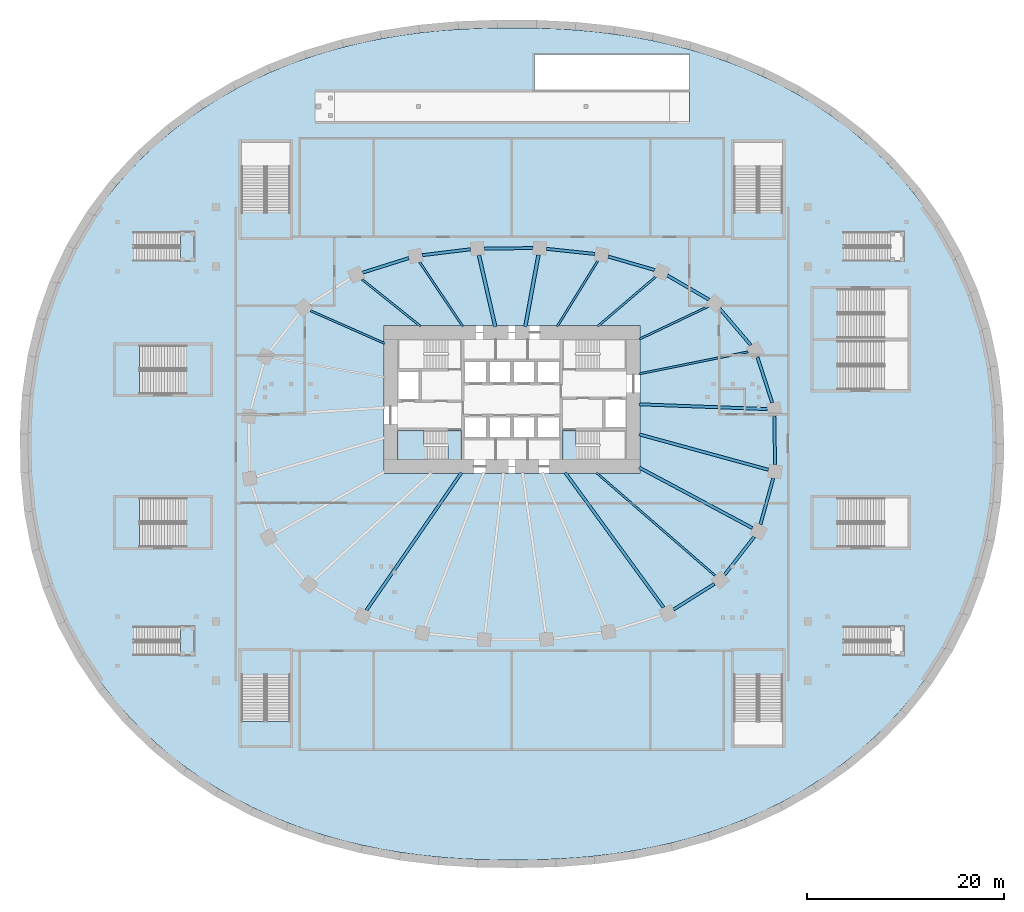
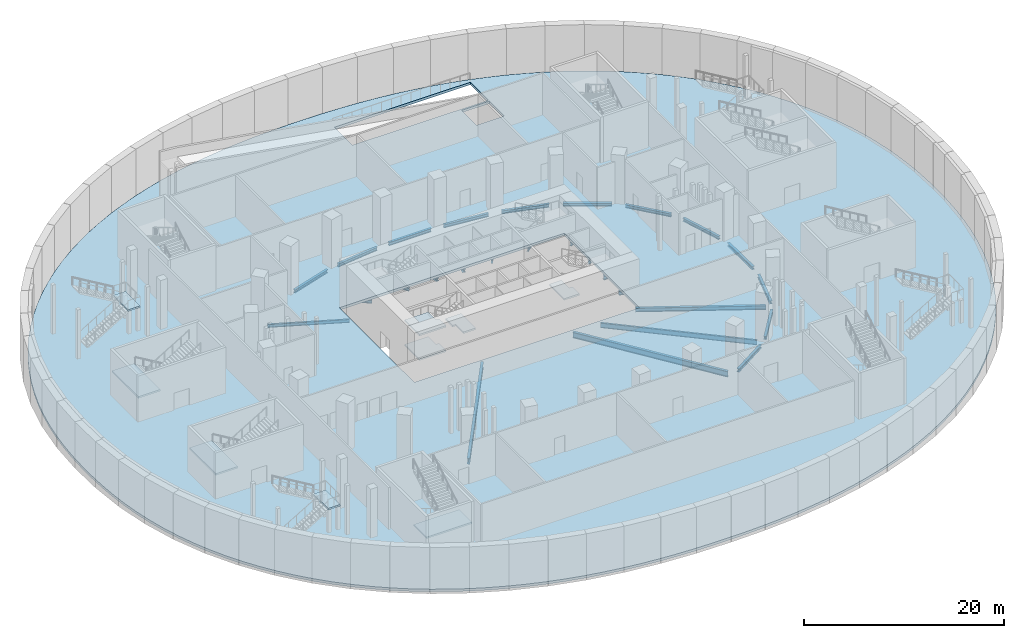
# One storey, part 2 of 19: 27 beams, 10 slabs, 7 elements without a shape of their own.
"""IFC4 building model written with IfcOpenShell, lengths in metres."""

from ifc_helpers import new_model, si_unit, direction, frame, origin, origin_2d, place, context, subcontext, project, spatial, polyline, i_section, outline, extrude, material, layer, layer_set, material_profile, profile_set, type_object, element, aggregate, save


model = new_model("IFC4")

# Units and contexts
model_context = context("Model", 3, precision=1e-05, world=origin(), true_north=direction((0.0, 1.0)))
body_context = subcontext(model_context, "Body", "Model", "MODEL_VIEW")
ifc_project = project(units=[si_unit("LENGTHUNIT", "METRE"), si_unit("AREAUNIT", "SQUARE_METRE"), si_unit("VOLUMEUNIT", "CUBIC_METRE"), si_unit("PLANEANGLEUNIT", "RADIAN"), si_unit("MASSUNIT", "GRAM", prefix="KILO")], contexts=[model_context])

# Site, building, storey
site_placement = place(None, origin())
site = spatial("IfcSite", under=ifc_project, at=site_placement, CompositionType="ELEMENT")
building_placement = place(site_placement, origin())
building = spatial("IfcBuilding", under=site, at=building_placement, Name="Rubra Terraces Tower", CompositionType="ELEMENT")
storey_placement = place(building_placement, frame((0.0, 0.0, -6.0)))
storey = spatial("IfcBuildingStorey", under=building, at=storey_placement, Name="B1", CompositionType="ELEMENT", Elevation=-6.0)

# Beams
ifc_material_1 = material(Name="Steel Q355B", Category="steel")
ifc_material_profile_1 = material_profile(ifc_material_1, i_section(OverallWidth=0.300048828125, OverallDepth=0.48193359375, WebThickness=0.010986328125, FlangeThickness=0.014892578125, at=origin_2d()), Name="HM 482x300x11x15")
ifc_profile_set_1 = profile_set([ifc_material_profile_1], Name="Steel Q355B")
beam_type_1 = type_object("IfcBeamType", Name="FLOOR BEAM HM 482x300x11x15", PredefinedType="BEAM", material=ifc_profile_set_1)
beam_1_placement = place(storey_placement, frame((25.89111328125, 3.530029296875, -0.541015625), z_axis=(-0.999300088658, 0.037407657088, 0.0), x_axis=(-0.037407657088, -0.999300088658, 0.0)))
element("IfcBeam", 1, at=beam_1_placement, inside=storey, type_object=beam_type_1, Name="beam-B1-floor-01", PredefinedType="BEAM", context=body_context, shape_type="SweptSolid", body=[
    extrude(i_section(OverallWidth=0.300048828125, OverallDepth=0.48193359375, WebThickness=0.010986328125, FlangeThickness=0.014892578125, at=origin_2d()), origin(), (0.0, 0.0, 1.0), 13.020263671875),
])
beam_2_placement = place(storey_placement, frame((24.385009765625, -8.535888671875, -0.541015625), z_axis=(-0.881896613876, 0.471442851716, 0.0), x_axis=(-0.471442851716, -0.881896613876, 0.0)))
element("IfcBeam", 2, at=beam_2_placement, inside=storey, type_object=beam_type_1, Name="beam-B1-floor-23", PredefinedType="BEAM", context=body_context, shape_type="SweptSolid", body=[
    extrude(i_section(OverallWidth=0.300048828125, OverallDepth=0.48193359375, WebThickness=0.010986328125, FlangeThickness=0.014892578125, at=origin_2d()), origin(), (0.0, 0.0, 1.0), 13.02978515625),
])
beam_3_placement = place(storey_placement, frame((26.001953125, -2.62109375, -0.541015625), z_axis=(-0.964494059772, 0.264104541167, 0.0), x_axis=(-0.264104541167, -0.964494059772, 0.0)))
element("IfcBeam", 3, at=beam_3_placement, inside=storey, type_object=beam_type_1, Name="beam-B1-floor-24", PredefinedType="BEAM", context=body_context, shape_type="SweptSolid", body=[
    extrude(i_section(OverallWidth=0.300048828125, OverallDepth=0.48193359375, WebThickness=0.010986328125, FlangeThickness=0.014892578125, at=origin_2d()), origin(), (0.0, 0.0, 1.0), 13.600830078125),
])
ifc_material_profile_2 = material_profile(ifc_material_1, i_section(OverallWidth=0.199951171875, OverallDepth=0.39990234375, WebThickness=0.008056640625, FlangeThickness=0.012939453125, at=origin_2d()), Name="HN 400x200x8x13")
ifc_profile_set_2 = profile_set([ifc_material_profile_2], Name="Steel Q355B")
beam_type_2 = type_object("IfcBeamType", Name="FLOOR BEAM HN 400x200x8x13", PredefinedType="BEAM", material=ifc_profile_set_2)
beam_4_placement = place(storey_placement, frame((19.904052734375, 13.93603515625, -0.5), z_axis=(-0.903612237836, -0.428351402045, 0.0), x_axis=(0.428351402045, -0.903612237836, 0.0)))
element("IfcBeam", 4, at=beam_4_placement, inside=storey, type_object=beam_type_2, Name="beam-B1-floor-03", PredefinedType="BEAM", context=body_context, shape_type="SweptSolid", body=[
    extrude(i_section(OverallWidth=0.199951171875, OverallDepth=0.39990234375, WebThickness=0.008056640625, FlangeThickness=0.012939453125, at=origin_2d()), origin(), (0.0, 0.0, 1.0), 7.760009765625),
])
beam_5_placement = place(storey_placement, frame((14.56298828125, 16.93408203125, -0.5), z_axis=(-0.760494401061, -0.649344489431, 0.0), x_axis=(0.649344489431, -0.760494401061, 0.0)))
element("IfcBeam", 5, at=beam_5_placement, inside=storey, type_object=beam_type_2, Name="beam-B1-floor-04", PredefinedType="BEAM", context=body_context, shape_type="SweptSolid", body=[
    extrude(i_section(OverallWidth=0.199951171875, OverallDepth=0.39990234375, WebThickness=0.008056640625, FlangeThickness=0.012939453125, at=origin_2d()), origin(), (0.0, 0.0, 1.0), 7.718505859375),
])
beam_6_placement = place(storey_placement, frame((8.699951171875, 18.555908203125, -0.5), z_axis=(-0.526285914839, -0.850307671283, 0.0), x_axis=(0.850307671283, -0.526285914839, 0.0)))
element("IfcBeam", 6, at=beam_6_placement, inside=storey, type_object=beam_type_2, Name="beam-B1-floor-05", PredefinedType="BEAM", context=body_context, shape_type="SweptSolid", body=[
    extrude(i_section(OverallWidth=0.199951171875, OverallDepth=0.39990234375, WebThickness=0.008056640625, FlangeThickness=0.012939453125, at=origin_2d()), origin(), (0.0, 0.0, 1.0), 7.830078125),
])
beam_7_placement = place(storey_placement, frame((-9.360107421875, 18.43310546875, -0.5), z_axis=(0.557574689395, -0.830126776912, 0.0), x_axis=(0.830126776912, 0.557574689395, 0.0)))
element("IfcBeam", 7, at=beam_7_placement, inside=storey, type_object=beam_type_2, Name="beam-B1-floor-08", PredefinedType="BEAM", context=body_context, shape_type="SweptSolid", body=[
    extrude(i_section(OverallWidth=0.199951171875, OverallDepth=0.39990234375, WebThickness=0.008056640625, FlangeThickness=0.012939453125, at=origin_2d()), origin(), (0.0, 0.0, 1.0), 7.8701171875),
])
beam_8_placement = place(storey_placement, frame((-15.18896484375, 16.676025390625, -0.5), z_axis=(0.780266406942, -0.625447307291, 0.0), x_axis=(0.625447307291, 0.780266406942, 0.0)))
element("IfcBeam", 8, at=beam_8_placement, inside=storey, type_object=beam_type_2, Name="beam-B1-floor-09", PredefinedType="BEAM", context=body_context, shape_type="SweptSolid", body=[
    extrude(i_section(OverallWidth=0.199951171875, OverallDepth=0.39990234375, WebThickness=0.008056640625, FlangeThickness=0.012939453125, at=origin_2d()), origin(), (0.0, 0.0, 1.0), 7.59619140625),
])
beam_9_placement = place(storey_placement, frame((-20.43310546875, 13.508056640625, -0.5), z_axis=(0.914994662209, -0.4034659442, 0.0), x_axis=(0.4034659442, 0.914994662209, 0.0)))
element("IfcBeam", 9, at=beam_9_placement, inside=storey, type_object=beam_type_2, Name="beam-B1-floor-10", PredefinedType="BEAM", context=body_context, shape_type="SweptSolid", body=[
    extrude(i_section(OverallWidth=0.199951171875, OverallDepth=0.39990234375, WebThickness=0.008056640625, FlangeThickness=0.012939453125, at=origin_2d()), origin(), (0.0, 0.0, 1.0), 8.243896484375),
])
ifc_material_profile_3 = material_profile(ifc_material_1, i_section(OverallWidth=0.198974609375, OverallDepth=0.49609375, WebThickness=0.009033203125, FlangeThickness=0.013916015625, at=origin_2d()), Name="HN 496x199x9x14")
ifc_profile_set_3 = profile_set([ifc_material_profile_3], Name="Steel Q355B")
beam_type_3 = type_object("IfcBeamType", Name="FLOOR BEAM HN 496x199x9x14", PredefinedType="BEAM", material=ifc_profile_set_3)
beam_10_placement = place(storey_placement, frame((23.9560546875, 9.337890625, -0.548095703125), z_axis=(-0.980204035637, -0.197990021264, 0.0), x_axis=(0.197990021264, -0.980204035637, 0.0)))
element("IfcBeam", 10, at=beam_10_placement, inside=storey, type_object=beam_type_3, Name="beam-B1-floor-02", PredefinedType="BEAM", context=body_context, shape_type="SweptSolid", body=[
    extrude(i_section(OverallWidth=0.198974609375, OverallDepth=0.49609375, WebThickness=0.009033203125, FlangeThickness=0.013916015625, at=origin_2d()), origin(), (0.0, 0.0, 1.0), 11.297607421875),
])
ifc_material_profile_4 = material_profile(ifc_material_1, i_section(OverallWidth=0.198974609375, OverallDepth=0.595947265625, WebThickness=0.010009765625, FlangeThickness=0.014892578125, at=origin_2d()), Name="HN 596x199x10x15")
ifc_profile_set_4 = profile_set([ifc_material_profile_4], Name="Steel Q355B")
beam_type_4 = type_object("IfcBeamType", Name="FLOOR BEAM HN 596x199x10x15", PredefinedType="BEAM", material=ifc_profile_set_4)
beam_11_placement = place(storey_placement, frame((20.60205078125, -13.35498046875, -0.597900390625), z_axis=(-0.755682003913, 0.654938706263, 0.0), x_axis=(-0.654938706263, -0.755682003913, 0.0)))
element("IfcBeam", 11, at=beam_11_placement, inside=storey, type_object=beam_type_4, Name="beam-B1-floor-22", PredefinedType="BEAM", context=body_context, shape_type="SweptSolid", body=[
    extrude(i_section(OverallWidth=0.198974609375, OverallDepth=0.595947265625, WebThickness=0.010009765625, FlangeThickness=0.014892578125, at=origin_2d()), origin(), (0.0, 0.0, 1.0), 15.931396484375),
])
ifc_material_profile_5 = material_profile(ifc_material_1, i_section(OverallWidth=0.300048828125, OverallDepth=0.699951171875, WebThickness=0.012939453125, FlangeThickness=0.02392578125, at=origin_2d()), Name="HN 700x300x13x24")
ifc_profile_set_5 = profile_set([ifc_material_profile_5], Name="Steel Q355B")
beam_type_5 = type_object("IfcBeamType", Name="FLOOR BEAM HN 700x300x13x24", PredefinedType="BEAM", material=ifc_profile_set_5)
beam_12_placement = place(storey_placement, frame((-14.7509765625, -16.85302734375, -0.64990234375), z_axis=(0.568362941886, 0.822777956858, 0.0), x_axis=(-0.822777956858, 0.568362941886, 0.0)))
element("IfcBeam", 12, at=beam_12_placement, inside=storey, type_object=beam_type_5, Name="beam-B1-floor-16", PredefinedType="BEAM", context=body_context, shape_type="SweptSolid", body=[
    extrude(i_section(OverallWidth=0.300048828125, OverallDepth=0.699951171875, WebThickness=0.012939453125, FlangeThickness=0.02392578125, at=origin_2d()), origin(), (0.0, 0.0, 1.0), 16.957275390625),
])
beam_13_placement = place(storey_placement, frame((15.3779296875, -16.587890625, -0.64990234375), z_axis=(-0.58919117553, 0.807993662523, 0.0), x_axis=(-0.807993662523, -0.58919117553, 0.0)))
element("IfcBeam", 13, at=beam_13_placement, inside=storey, type_object=beam_type_5, Name="beam-B1-floor-21", PredefinedType="BEAM", context=body_context, shape_type="SweptSolid", body=[
    extrude(i_section(OverallWidth=0.300048828125, OverallDepth=0.699951171875, WebThickness=0.012939453125, FlangeThickness=0.02392578125, at=origin_2d()), origin(), (0.0, 0.0, 1.0), 16.936767578125),
])
ifc_material_profile_6 = material_profile(ifc_material_1, i_section(OverallWidth=0.35009765625, OverallDepth=0.35009765625, WebThickness=0.011962890625, FlangeThickness=0.01904296875, at=origin_2d()), Name="HW 350x350x12x19")
ifc_profile_set_6 = profile_set([ifc_material_profile_6], Name="Steel Q355B")
beam_type_6 = type_object("IfcBeamType", Name="FLOOR BEAM HW 350x350x12x19", PredefinedType="BEAM", material=ifc_profile_set_6)
beam_14_placement = place(storey_placement, frame((2.68408203125, 19.158935546875, -0.47509765625), z_axis=(-0.180186319425, -0.983632497578, 0.0), x_axis=(0.983632497578, -0.180186319425, 0.0)))
element("IfcBeam", 14, at=beam_14_placement, inside=storey, type_object=beam_type_6, Name="beam-B1-floor-06", PredefinedType="BEAM", context=body_context, shape_type="SweptSolid", body=[
    extrude(i_section(OverallWidth=0.35009765625, OverallDepth=0.35009765625, WebThickness=0.011962890625, FlangeThickness=0.01904296875, at=origin_2d()), origin(), (0.0, 0.0, 1.0), 7.39794921875),
])
beam_15_placement = place(storey_placement, frame((-3.35107421875, 19.133056640625, -0.47509765625), z_axis=(0.223209821828, -0.974770421914, 0.0), x_axis=(0.974770421914, 0.223209821828, 0.0)))
element("IfcBeam", 15, at=beam_15_placement, inside=storey, type_object=beam_type_6, Name="beam-B1-floor-07", PredefinedType="BEAM", context=body_context, shape_type="SweptSolid", body=[
    extrude(i_section(OverallWidth=0.35009765625, OverallDepth=0.35009765625, WebThickness=0.011962890625, FlangeThickness=0.01904296875, at=origin_2d()), origin(), (0.0, 0.0, 1.0), 7.437744140625),
])
ifc_material_profile_7 = material_profile(ifc_material_1, i_section(OverallWidth=0.300048828125, OverallDepth=0.389892578125, WebThickness=0.010009765625, FlangeThickness=0.01611328125, at=origin_2d()), Name="HM 390x300x10x16")
ifc_profile_set_7 = profile_set([ifc_material_profile_7], Name="Steel Q355B")
beam_type_7 = type_object("IfcBeamType", Name="SPANDREL BEAM HM 390x300x10x16", PredefinedType="SPANDREL", material=ifc_profile_set_7)
beam_16_placement = place(storey_placement, frame((26.387939453125, 4.177001953125, -0.4951171875), z_axis=(-0.30706880261, 0.951687317591, 0.0), x_axis=(-0.951687317591, -0.30706880261, 0.0)))
element("IfcBeam", 16, at=beam_16_placement, inside=storey, type_object=beam_type_7, Name="beam-B1-spandrel-01", PredefinedType="SPANDREL", context=body_context, shape_type="SweptSolid", body=[
    extrude(i_section(OverallWidth=0.300048828125, OverallDepth=0.389892578125, WebThickness=0.010009765625, FlangeThickness=0.01611328125, at=origin_2d()), origin(), (0.0, 0.0, 1.0), 4.86181640625),
])
beam_17_placement = place(storey_placement, frame((24.212890625, 10.02587890625, -0.4951171875), z_axis=(-0.648447050824, 0.761259760054, 0.0), x_axis=(-0.761259760054, -0.648447050824, 0.0)))
element("IfcBeam", 17, at=beam_17_placement, inside=storey, type_object=beam_type_7, Name="beam-B1-spandrel-02", PredefinedType="SPANDREL", context=body_context, shape_type="SweptSolid", body=[
    extrude(i_section(OverallWidth=0.300048828125, OverallDepth=0.389892578125, WebThickness=0.010009765625, FlangeThickness=0.01611328125, at=origin_2d()), origin(), (0.0, 0.0, 1.0), 4.860595703125),
])
beam_18_placement = place(storey_placement, frame((19.987060546875, 14.6240234375, -0.4951171875), z_axis=(-0.863806081452, 0.503824427402, 0.0), x_axis=(-0.503824427402, -0.863806081452, 0.0)))
element("IfcBeam", 18, at=beam_18_placement, inside=storey, type_object=beam_type_7, Name="beam-B1-spandrel-03", PredefinedType="SPANDREL", context=body_context, shape_type="SweptSolid", body=[
    extrude(i_section(OverallWidth=0.300048828125, OverallDepth=0.389892578125, WebThickness=0.010009765625, FlangeThickness=0.01611328125, at=origin_2d()), origin(), (0.0, 0.0, 1.0), 4.886474609375),
])
beam_19_placement = place(storey_placement, frame((14.47900390625, 17.636962890625, -0.4951171875), z_axis=(-0.960743980202, 0.277436487337, 0.0), x_axis=(-0.277436487337, -0.960743980202, 0.0)))
element("IfcBeam", 19, at=beam_19_placement, inside=storey, type_object=beam_type_7, Name="beam-B1-spandrel-04", PredefinedType="SPANDREL", context=body_context, shape_type="SweptSolid", body=[
    extrude(i_section(OverallWidth=0.300048828125, OverallDepth=0.389892578125, WebThickness=0.010009765625, FlangeThickness=0.01611328125, at=origin_2d()), origin(), (0.0, 0.0, 1.0), 4.90234375),
])
beam_20_placement = place(storey_placement, frame((8.39501953125, 19.26611328125, -0.4951171875), z_axis=(-0.994495375694, 0.104780473964, 0.0), x_axis=(-0.104780473964, -0.994495375694, 0.0)))
element("IfcBeam", 20, at=beam_20_placement, inside=storey, type_object=beam_type_7, Name="beam-B1-spandrel-05", PredefinedType="SPANDREL", context=body_context, shape_type="SweptSolid", body=[
    extrude(i_section(OverallWidth=0.300048828125, OverallDepth=0.389892578125, WebThickness=0.010009765625, FlangeThickness=0.01611328125, at=origin_2d()), origin(), (0.0, 0.0, 1.0), 4.9140625),
])
beam_21_placement = place(storey_placement, frame((2.110107421875, 19.85107421875, -0.4951171875), z_axis=(-0.999987924698, -0.004914311469, 0.0), x_axis=(0.004914311469, -0.999987924698, 0.0)))
element("IfcBeam", 21, at=beam_21_placement, inside=storey, type_object=beam_type_7, Name="beam-B1-spandrel-06", PredefinedType="SPANDREL", context=body_context, shape_type="SweptSolid", body=[
    extrude(i_section(OverallWidth=0.300048828125, OverallDepth=0.389892578125, WebThickness=0.010009765625, FlangeThickness=0.01611328125, at=origin_2d()), origin(), (0.0, 0.0, 1.0), 4.918212890625),
])
beam_22_placement = place(storey_placement, frame((-4.205078125, 19.739013671875, -0.4951171875), z_axis=(-0.992616576014, -0.12129440639, 0.0), x_axis=(0.12129440639, -0.992616576014, 0.0)))
element("IfcBeam", 22, at=beam_22_placement, inside=storey, type_object=beam_type_7, Name="beam-B1-spandrel-07", PredefinedType="SPANDREL", context=body_context, shape_type="SweptSolid", body=[
    extrude(i_section(OverallWidth=0.300048828125, OverallDepth=0.389892578125, WebThickness=0.010009765625, FlangeThickness=0.01611328125, at=origin_2d()), origin(), (0.0, 0.0, 1.0), 4.913330078125),
])
beam_23_placement = place(storey_placement, frame((-10.450927734375, 18.846923828125, -0.4951171875), z_axis=(-0.953954624663, -0.299950952796, 0.0), x_axis=(0.299950952796, -0.953954624663, 0.0)))
element("IfcBeam", 23, at=beam_23_placement, inside=storey, type_object=beam_type_7, Name="beam-B1-spandrel-08", PredefinedType="SPANDREL", context=body_context, shape_type="SweptSolid", body=[
    extrude(i_section(OverallWidth=0.300048828125, OverallDepth=0.389892578125, WebThickness=0.010009765625, FlangeThickness=0.01611328125, at=origin_2d()), origin(), (0.0, 0.0, 1.0), 4.900634765625),
])
beam_24_placement = place(storey_placement, frame((16.39697265625, -16.7900390625, -0.4951171875), z_axis=(0.847078460197, 0.531467856291, 0.0), x_axis=(-0.531467856291, 0.847078460197, 0.0)))
element("IfcBeam", 24, at=beam_24_placement, inside=storey, type_object=beam_type_7, Name="beam-B1-spandrel-21", PredefinedType="SPANDREL", context=body_context, shape_type="SweptSolid", body=[
    extrude(i_section(OverallWidth=0.300048828125, OverallDepth=0.389892578125, WebThickness=0.010009765625, FlangeThickness=0.01611328125, at=origin_2d()), origin(), (0.0, 0.0, 1.0), 4.882568359375),
])
beam_25_placement = place(storey_placement, frame((21.572998046875, -13.257080078125, -0.4951171875), z_axis=(0.615577734286, 0.788076172112, 0.0), x_axis=(-0.788076172112, 0.615577734286, 0.0)))
element("IfcBeam", 25, at=beam_25_placement, inside=storey, type_object=beam_type_7, Name="beam-B1-spandrel-22", PredefinedType="SPANDREL", context=body_context, shape_type="SweptSolid", body=[
    extrude(i_section(OverallWidth=0.300048828125, OverallDepth=0.389892578125, WebThickness=0.010009765625, FlangeThickness=0.01611328125, at=origin_2d()), origin(), (0.0, 0.0, 1.0), 4.85888671875),
])
beam_26_placement = place(storey_placement, frame((25.194091796875, -8.177978515625, -0.4951171875), z_axis=(0.267364386726, 0.96359549849, 0.0), x_axis=(-0.96359549849, 0.267364386726, 0.0)))
element("IfcBeam", 26, at=beam_26_placement, inside=storey, type_object=beam_type_7, Name="beam-B1-spandrel-23", PredefinedType="SPANDREL", context=body_context, shape_type="SweptSolid", body=[
    extrude(i_section(OverallWidth=0.300048828125, OverallDepth=0.389892578125, WebThickness=0.010009765625, FlangeThickness=0.01611328125, at=origin_2d()), origin(), (0.0, 0.0, 1.0), 4.8662109375),
])
beam_27_placement = place(storey_placement, frame((26.675048828125, -2.10107421875, -0.4951171875), z_axis=(-0.012465372298, 0.999922304228, 0.0), x_axis=(-0.999922304228, -0.012465372298, 0.0)))
element("IfcBeam", 27, at=beam_27_placement, inside=storey, type_object=beam_type_7, Name="beam-B1-spandrel-24", PredefinedType="SPANDREL", context=body_context, shape_type="SweptSolid", body=[
    extrude(i_section(OverallWidth=0.300048828125, OverallDepth=0.389892578125, WebThickness=0.010009765625, FlangeThickness=0.01611328125, at=origin_2d()), origin(), (0.0, 0.0, 1.0), 4.896484375),
])

# Stair, slabs
ifc_material_2 = material(Name="Concrete C40", Category="concrete")
stair_type_1 = type_object("IfcStairType", Name="Core stair 1400", PredefinedType="HALF_TURN_STAIR", material=ifc_material_2)
stair_1_placement = place(storey_placement, origin())
stair_1 = element("IfcStair", 28, at=stair_1_placement, inside=storey, type_object=stair_type_1, Name="B1 Exit stair S1", PredefinedType="HALF_TURN_STAIR")
ifc_layer_1 = layer(ifc_material_2, 0.199951171875)
ifc_layer_set_1 = layer_set([ifc_layer_1], Name="Concrete C40")
slab_type_1 = type_object("IfcSlabType", Name="Core stair landing 200", PredefinedType="LANDING", material=ifc_layer_set_1)
slab_1_placement = place(storey_placement, frame((0.0, 0.0, 1.300048828125)))
slab_1 = element("IfcSlab", 29, at=slab_1_placement, type_object=slab_type_1, Name="S1 landing 1", PredefinedType="LANDING", context=body_context, shape_type="SweptSolid", body=[
    extrude(outline(polyline([(-8.52001953125, -0.199951171875), (-8.52001953125, -1.60009765625), (-8.89990234375, -1.60009765625), (-8.919921875, -1.60009765625), (-11.60009765625, -1.60009765625), (-11.60009765625, 1.35009765625), (-8.919921875, 1.35009765625), (-8.89794921875, 1.35009765625), (-8.89794921875, -0.050048828125), (-8.89990234375, -0.050048828125), (-8.89990234375, -0.199951171875), (-8.52001953125, -0.199951171875)])), origin(), (0.0, 0.0, 1.0), 0.199951171875),
])
slab_2_placement = place(storey_placement, frame((0.0, 0.0, 2.800048828125)))
slab_2 = element("IfcSlab", 30, at=slab_2_placement, type_object=slab_type_1, Name="S1 landing 2", PredefinedType="LANDING", context=body_context, shape_type="SweptSolid", body=[
    extrude(outline(polyline([(-6.5, -0.199951171875), (-6.5, -0.050048828125), (-6.8798828125, -0.050048828125), (-6.8798828125, 1.35009765625), (-6.5, 1.35009765625), (-6.47998046875, 1.35009765625), (-5.10009765625, 1.35009765625), (-5.10009765625, -1.60009765625), (-6.47998046875, -1.60009765625), (-6.5, -1.60009765625), (-6.501953125, -1.60009765625), (-6.501953125, -0.199951171875), (-6.5, -0.199951171875)])), origin(), (0.0, 0.0, 1.0), 0.199951171875),
])
slab_3_placement = place(storey_placement, frame((0.0, 0.0, 4.300048828125)))
slab_3 = element("IfcSlab", 31, at=slab_3_placement, type_object=slab_type_1, Name="S1 landing 3", PredefinedType="LANDING", context=body_context, shape_type="SweptSolid", body=[
    extrude(outline(polyline([(-8.52001953125, -0.199951171875), (-8.52001953125, -1.60009765625), (-8.89990234375, -1.60009765625), (-8.919921875, -1.60009765625), (-11.60009765625, -1.60009765625), (-11.60009765625, 1.35009765625), (-8.919921875, 1.35009765625), (-8.89794921875, 1.35009765625), (-8.89794921875, -0.050048828125), (-8.89990234375, -0.050048828125), (-8.89990234375, -0.199951171875), (-8.52001953125, -0.199951171875)])), origin(), (0.0, 0.0, 1.0), 0.199951171875),
])
aggregate(stair_1, [slab_1, slab_2, slab_3])

# Stair, slab
stair_2_placement = place(storey_placement, origin())
stair_2 = element("IfcStair", 32, at=stair_2_placement, inside=storey, type_object=stair_type_1, Name="B1 Exit stair S4", PredefinedType="HALF_TURN_STAIR")
slab_4_placement = place(storey_placement, frame((0.0, 0.0, 2.800048828125)))
slab_4 = element("IfcSlab", 33, at=slab_4_placement, type_object=slab_type_1, Name="S4 landing 2", PredefinedType="LANDING", context=body_context, shape_type="SweptSolid", body=[
    extrude(outline(polyline([(6.8798828125, -0.199951171875), (6.8798828125, -1.60009765625), (6.5, -1.60009765625), (6.47998046875, -1.60009765625), (5.10009765625, -1.60009765625), (5.10009765625, 1.35009765625), (6.47998046875, 1.35009765625), (6.501953125, 1.35009765625), (6.501953125, -0.050048828125), (6.5, -0.050048828125), (6.5, -0.199951171875), (6.8798828125, -0.199951171875)])), origin(), (0.0, 0.0, 1.0), 0.199951171875),
])
aggregate(stair_2, [slab_4])

ifc_material_3 = material(Name="Concrete C40/50", Category="concrete")
stair_type_2 = type_object("IfcStairType", Name="Exit stair", PredefinedType="HALF_TURN_STAIR", material=ifc_material_3)
stair_3_placement = place(storey_placement, origin())
stair_3 = element("IfcStair", 34, at=stair_3_placement, inside=storey, type_object=stair_type_2, Name="B1 exit stair SE3", PredefinedType="HALF_TURN_STAIR")
ifc_layer_2 = layer(ifc_material_3, 0.199951171875)
ifc_layer_set_2 = layer_set([ifc_layer_2], Name="Concrete C40/50")
slab_type_2 = type_object("IfcSlabType", Name="Exit stair landing 200", PredefinedType="LANDING", material=ifc_layer_set_2)
slab_5_placement = place(storey_placement, frame((0.0, 0.0, 2.800048828125)))
slab_5 = element("IfcSlab", 35, at=slab_5_placement, type_object=slab_type_2, Name="SE3 landing 1", PredefinedType="LANDING", context=body_context, shape_type="SweptSolid", body=[
    extrude(outline(polyline([(-40.31005859375, 4.89990234375), (-37.760009765625, 4.89990234375), (-37.760009765625, 10.14990234375), (-40.31005859375, 10.14990234375), (-40.31005859375, 4.89990234375)])), origin(), (0.0, 0.0, 1.0), 0.199951171875),
])
aggregate(stair_3, [slab_5])

stair_4_placement = place(storey_placement, origin())
stair_4 = element("IfcStair", 36, at=stair_4_placement, inside=storey, type_object=stair_type_2, Name="B1 exit stair SE4", PredefinedType="HALF_TURN_STAIR")
slab_6_placement = place(storey_placement, frame((0.0, 0.0, 2.800048828125)))
slab_6 = element("IfcSlab", 37, at=slab_6_placement, type_object=slab_type_2, Name="SE4 landing 1", PredefinedType="LANDING", context=body_context, shape_type="SweptSolid", body=[
    extrude(outline(polyline([(-40.31005859375, -10.60009765625), (-37.760009765625, -10.60009765625), (-37.760009765625, -5.35009765625), (-40.31005859375, -5.35009765625), (-40.31005859375, -10.60009765625)])), origin(), (0.0, 0.0, 1.0), 0.199951171875),
])
aggregate(stair_4, [slab_6])

stair_5_placement = place(storey_placement, origin())
stair_5 = element("IfcStair", 38, at=stair_5_placement, inside=storey, type_object=stair_type_2, Name="B1 exit stair SE8", PredefinedType="HALF_TURN_STAIR")
slab_7_placement = place(storey_placement, frame((0.0, 0.0, 2.800048828125)))
slab_7 = element("IfcSlab", 39, at=slab_7_placement, type_object=slab_type_2, Name="SE8 landing 1", PredefinedType="LANDING", context=body_context, shape_type="SweptSolid", body=[
    extrude(outline(polyline([(-27.60009765625, -30.7099609375), (-22.35009765625, -30.7099609375), (-22.35009765625, -28.159912109375), (-27.60009765625, -28.159912109375), (-27.60009765625, -30.7099609375)])), origin(), (0.0, 0.0, 1.0), 0.199951171875),
])
aggregate(stair_5, [slab_7])

# Slab
ifc_layer_3 = layer(ifc_material_2, 0.300048828125)
ifc_layer_set_3 = layer_set([ifc_layer_3], Name="Concrete C40")
slab_type_3 = type_object("IfcSlabType", Name="FLOOR SLAB 300 COMPOSITE", PredefinedType="FLOOR", material=ifc_layer_set_3)
slab_8_placement = place(storey_placement, frame((0.0, 0.0, -0.300048828125)))
element("IfcSlab", 40, at=slab_8_placement, inside=storey, type_object=slab_type_3, Name="FLOOR SLAB B1", PredefinedType="FLOOR", context=body_context, shape_type="SweptSolid", body=[
    extrude(outline(polyline([(48.781005859375, -5.87109375), (48.968017578125, -3.923095703125), (49.071044921875, -1.965087890625), (49.10009765625, 0.0), (49.071044921875, 1.965087890625), (48.968017578125, 3.923095703125), (48.781005859375, 5.87109375), (48.508056640625, 7.806884765625), (48.14208984375, 9.72607421875), (47.68310546875, 11.6240234375), (47.1298828125, 13.49609375), (46.48388671875, 15.337890625), (45.743896484375, 17.14404296875), (44.9130859375, 18.907958984375), (43.991943359375, 20.62890625), (42.98291015625, 22.299072265625), (41.889892578125, 23.9150390625), (40.715087890625, 25.472900390625), (39.4619140625, 26.969970703125), (38.135009765625, 28.403076171875), (36.739990234375, 29.76806640625), (35.278076171875, 31.06396484375), (33.7548828125, 32.2890625), (32.176025390625, 33.44091796875), (30.5439453125, 34.51904296875), (28.864013671875, 35.52197265625), (27.14111328125, 36.451904296875), (25.37890625, 37.306884765625), (23.58203125, 38.087890625), (21.75390625, 38.794921875), (19.89794921875, 39.429931640625), (18.01806640625, 39.9951171875), (16.117919921875, 40.489013671875), (14.200927734375, 40.9150390625), (12.26904296875, 41.27587890625), (10.324951171875, 41.572021484375), (8.37109375, 41.806884765625), (6.409912109375, 41.98388671875), (4.443115234375, 42.10498046875), (2.470947265625, 42.174072265625), (0.493896484375, 42.198974609375), (-1.48291015625, 42.19189453125), (-3.45703125, 42.14501953125), (-5.427001953125, 42.050048828125), (-7.39111328125, 41.903076171875), (-9.34912109375, 41.697998046875), (-11.298095703125, 41.431884765625), (-13.237060546875, 41.10302734375), (-15.162109375, 40.7109375), (-17.071044921875, 40.2509765625), (-18.9609375, 39.721923828125), (-20.8291015625, 39.1220703125), (-22.6708984375, 38.450927734375), (-24.485107421875, 37.7060546875), (-26.264892578125, 36.888916015625), (-28.008056640625, 35.9970703125), (-29.708984375, 35.030029296875), (-31.365966796875, 33.989013671875), (-32.970947265625, 32.8740234375), (-34.52392578125, 31.68505859375), (-36.01708984375, 30.425048828125), (-37.446044921875, 29.093994140625), (-38.80810546875, 27.694091796875), (-40.097900390625, 26.22900390625), (-41.31201171875, 24.700927734375), (-42.447021484375, 23.114013671875), (-43.498046875, 21.469970703125), (-44.464111328125, 19.77490234375), (-45.340087890625, 18.031982421875), (-46.125, 16.24609375), (-46.819091796875, 14.4208984375), (-47.4189453125, 12.56298828125), (-47.924072265625, 10.677978515625), (-48.3359375, 8.76904296875), (-48.656005859375, 6.841064453125), (-48.885009765625, 4.89892578125), (-49.029052734375, 2.945068359375), (-49.093994140625, 0.98291015625), (-49.093994140625, -0.98291015625), (-49.029052734375, -2.945068359375), (-48.885009765625, -4.89892578125), (-48.656005859375, -6.841064453125), (-48.3359375, -8.76904296875), (-47.924072265625, -10.677978515625), (-47.4189453125, -12.56298828125), (-46.819091796875, -14.4208984375), (-46.125, -16.24609375), (-45.340087890625, -18.031982421875), (-44.464111328125, -19.77490234375), (-43.498046875, -21.469970703125), (-42.447021484375, -23.114013671875), (-41.31201171875, -24.700927734375), (-40.097900390625, -26.22900390625), (-38.80810546875, -27.694091796875), (-37.446044921875, -29.093994140625), (-36.01708984375, -30.425048828125), (-34.52392578125, -31.68505859375), (-32.970947265625, -32.8740234375), (-31.365966796875, -33.989013671875), (-29.708984375, -35.030029296875), (-28.008056640625, -35.9970703125), (-26.264892578125, -36.888916015625), (-24.485107421875, -37.7060546875), (-22.6708984375, -38.450927734375), (-20.8291015625, -39.1220703125), (-18.9609375, -39.721923828125), (-17.071044921875, -40.2509765625), (-15.162109375, -40.7109375), (-13.237060546875, -41.10302734375), (-11.298095703125, -41.431884765625), (-9.34912109375, -41.697998046875), (-7.39111328125, -41.903076171875), (-5.427001953125, -42.050048828125), (-3.45703125, -42.14501953125), (-1.48291015625, -42.19189453125), (0.493896484375, -42.198974609375), (2.470947265625, -42.174072265625), (4.443115234375, -42.10498046875), (6.409912109375, -41.98388671875), (8.37109375, -41.806884765625), (10.324951171875, -41.572021484375), (12.26904296875, -41.27587890625), (14.200927734375, -40.9150390625), (16.117919921875, -40.489013671875), (18.01806640625, -39.9951171875), (19.89794921875, -39.429931640625), (21.75390625, -38.794921875), (23.58203125, -38.087890625), (25.37890625, -37.306884765625), (27.14111328125, -36.451904296875), (28.864013671875, -35.52197265625), (30.5439453125, -34.51904296875), (32.176025390625, -33.44091796875), (33.7548828125, -32.2890625), (35.278076171875, -31.06396484375), (36.739990234375, -29.76806640625), (38.135009765625, -28.403076171875), (39.4619140625, -26.969970703125), (40.715087890625, -25.472900390625), (41.889892578125, -23.9150390625), (42.98291015625, -22.299072265625), (43.991943359375, -20.62890625), (44.9130859375, -18.907958984375), (45.743896484375, -17.14404296875), (46.48388671875, -15.337890625), (47.1298828125, -13.49609375), (47.68310546875, -11.6240234375), (48.14208984375, -9.72607421875), (48.508056640625, -7.806884765625), (48.781005859375, -5.87109375)]), holes=[polyline([(-13.0, -3.0), (-13.0, 12.0), (13.0, 12.0), (13.0, -3.0), (-13.0, -3.0)]), polyline([(18.0, 39.5), (18.0, 35.89990234375), (2.300048828125, 35.89990234375), (2.300048828125, 39.5), (18.0, 39.5)]), polyline([(14.800048828125, 35.699951171875), (18.0, 35.699951171875), (18.0, 32.699951171875), (14.800048828125, 32.699951171875), (14.800048828125, 35.699951171875)])]), origin(), (0.0, 0.0, 1.0), 0.300048828125),
])

# Stair, slab
ifc_material_4 = material(Name="Concrete C35/45", Category="concrete")
stair_type_3 = type_object("IfcStairType", Name="Station stair", PredefinedType="HALF_TURN_STAIR", material=ifc_material_4)
stair_6_placement = place(storey_placement, origin())
stair_6 = element("IfcStair", 41, at=stair_6_placement, inside=storey, type_object=stair_type_3, Name="B1 SP2-S", PredefinedType="HALF_TURN_STAIR")
ifc_layer_4 = layer(ifc_material_4, 0.199951171875)
ifc_layer_set_4 = layer_set([ifc_layer_4], Name="Concrete C35/45")
slab_type_4 = type_object("IfcSlabType", Name="Station stair landing 200", PredefinedType="LANDING", material=ifc_layer_set_4)
slab_9_placement = place(storey_placement, frame((0.0, 0.0, 2.800048828125)))
slab_9 = element("IfcSlab", 42, at=slab_9_placement, type_object=slab_type_4, Name="SP2-S landing 1", PredefinedType="LANDING", context=body_context, shape_type="SweptSolid", body=[
    extrude(outline(polyline([(-33.6201171875, 18.52490234375), (-32.219970703125, 18.52490234375), (-32.219970703125, 21.47509765625), (-33.6201171875, 21.47509765625), (-33.6201171875, 18.52490234375)])), origin(), (0.0, 0.0, 1.0), 0.199951171875),
])
aggregate(stair_6, [slab_9])

stair_7_placement = place(storey_placement, origin())
stair_7 = element("IfcStair", 43, at=stair_7_placement, inside=storey, type_object=stair_type_3, Name="B1 SP3-S", PredefinedType="HALF_TURN_STAIR")
slab_10_placement = place(storey_placement, frame((0.0, 0.0, 2.800048828125)))
slab_10 = element("IfcSlab", 44, at=slab_10_placement, type_object=slab_type_4, Name="SP3-S landing 1", PredefinedType="LANDING", context=body_context, shape_type="SweptSolid", body=[
    extrude(outline(polyline([(-33.6201171875, -21.47509765625), (-32.219970703125, -21.47509765625), (-32.219970703125, -18.52490234375), (-33.6201171875, -18.52490234375), (-33.6201171875, -21.47509765625)])), origin(), (0.0, 0.0, 1.0), 0.199951171875),
])
aggregate(stair_7, [slab_10])

save(model, "model.ifc")
